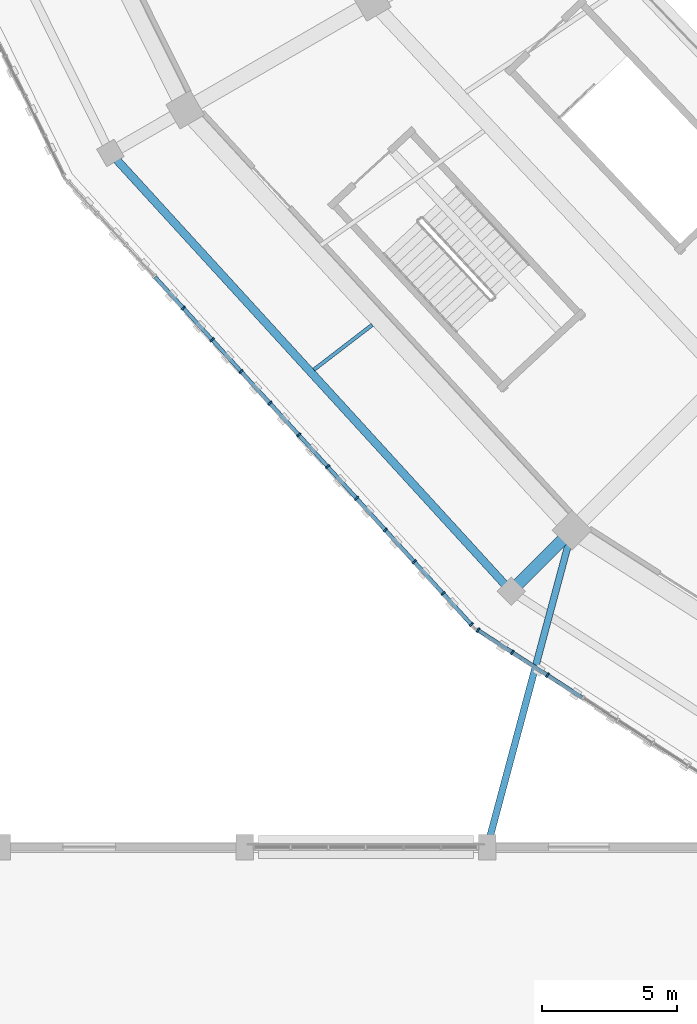
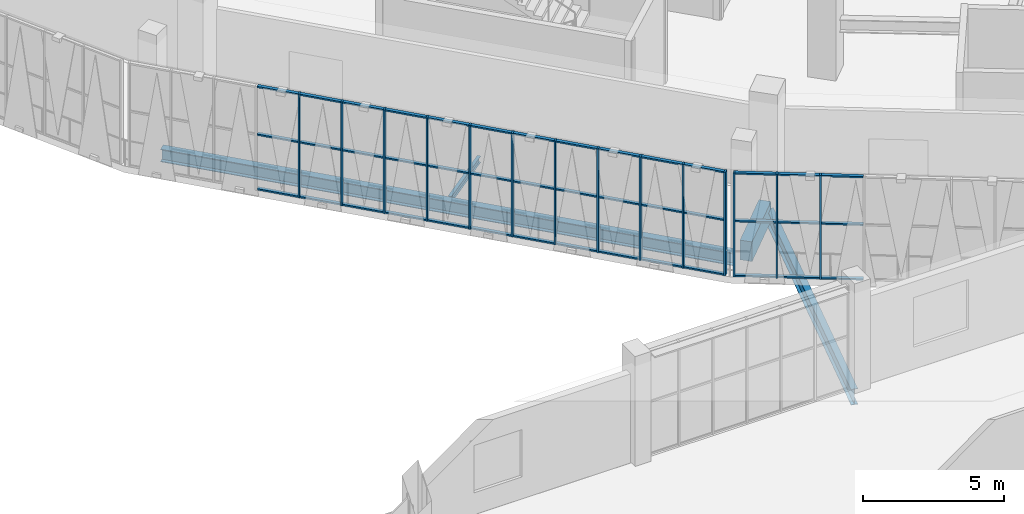
# One storey, part 9 of 179: 56 members, 4 beams, 2 elements without a shape of their own.
"""IFC4 building model written with IfcOpenShell, lengths in metres."""

from ifc_helpers import new_model, si_unit, direction, frame, origin, origin_2d, place, context, subcontext, project, spatial, rectangle, i_section, extrude, material, material_profile, profile_set, type_object, element, aggregate, save


model = new_model("IFC4")

# Units and contexts
model_context = context("Model", 3, precision=1e-05, world=origin(), true_north=direction((0.0, 1.0)))
body_context = subcontext(model_context, "Body", "Model", "MODEL_VIEW")
ifc_project = project(units=[si_unit("LENGTHUNIT", "METRE"), si_unit("AREAUNIT", "SQUARE_METRE"), si_unit("VOLUMEUNIT", "CUBIC_METRE"), si_unit("PLANEANGLEUNIT", "RADIAN"), si_unit("MASSUNIT", "GRAM", prefix="KILO")], contexts=[model_context])

# Site, building, storey
site_placement = place(None, origin())
site = spatial("IfcSite", under=ifc_project, at=site_placement, CompositionType="ELEMENT")
building_placement = place(site_placement, origin())
building = spatial("IfcBuilding", under=site, at=building_placement, Name="Zevraka Park Crest Stadium", CompositionType="ELEMENT")
storey_placement = place(building_placement, frame((0.0, 0.0, 10.199951171875)))
storey = spatial("IfcBuildingStorey", under=building, at=storey_placement, Name="L02", CompositionType="ELEMENT", Elevation=10.199951171875)

# Beams
ifc_material_1 = material(Name="Concrete C40/50", Category="concrete")
ifc_material_profile_1 = material_profile(ifc_material_1, rectangle(XDim=0.449951171875, YDim=0.85009765625, at=origin_2d()), Name="RC 850x450")
ifc_profile_set_1 = profile_set([ifc_material_profile_1], Name="Concrete C40/50")
beam_type_1 = type_object("IfcBeamType", Name="BG03", PredefinedType="BEAM", material=ifc_profile_set_1)
beam_1_placement = place(storey_placement, frame((47.93603515625, 38.54296875, -0.43505859375), z_axis=(-0.706965918589, -0.707247615728, 0.0), x_axis=(0.707247615728, -0.706965918589, 0.0)))
element("IfcBeam", 1, at=beam_1_placement, inside=storey, type_object=beam_type_1, Name="Radial Girder BG03 L02-DE-15", PredefinedType="BEAM", context=body_context, shape_type="SweptSolid", body=[
    extrude(rectangle(XDim=0.449951171875, YDim=0.85009765625, at=origin_2d()), origin(), (0.0, 0.0, 1.0), 2.60009765625),
])
ifc_material_2 = material(Name="Steel S355", Category="steel")
ifc_material_profile_2 = material_profile(ifc_material_2, i_section(OverallWidth=0.253662109375, OverallDepth=0.68359375, WebThickness=0.012451171875, FlangeThickness=0.01904296875, at=origin_2d()), Name="UKB 686x254x140")
ifc_profile_set_2 = profile_set([ifc_material_profile_2], Name="Steel S355")
beam_type_2 = type_object("IfcBeamType", Name="BG05", PredefinedType="BEAM", material=ifc_profile_set_2)
beam_2_placement = place(storey_placement, frame((45.052001953125, 27.193115234375, -0.629638671875), z_axis=(0.25869045552, 0.96596027259, 0.0), x_axis=(-0.96596027259, 0.25869045552, 0.0)))
element("IfcBeam", 2, at=beam_2_placement, inside=storey, type_object=beam_type_2, Name="Wing Link Girder BG05 L02-6/D", PredefinedType="BEAM", context=body_context, shape_type="SweptSolid", body=[
    extrude(i_section(OverallWidth=0.253662109375, OverallDepth=0.68359375, WebThickness=0.012451171875, FlangeThickness=0.01904296875, at=origin_2d()), origin(), (0.0, 0.0, 1.0), 11.58935546875),
])

# Curtain wall, members
ifc_material_3 = material(Name="Anodised architectural aluminium and laminated safety glass", Category="aluminium")
curtain_wall_type = type_object("IfcCurtainWallType", Name="CW08", PredefinedType="NOTDEFINED", material=ifc_material_3)
curtain_wall_1_placement = place(storey_placement, origin())
curtain_wall_1 = element("IfcCurtainWall", 3, at=curtain_wall_1_placement, inside=storey, type_object=curtain_wall_type, Name="Unitised Ring Curtain Wall CW08 L02-14", PredefinedType="NOTDEFINED")
ifc_material_4 = material(Name="Anodised architectural aluminium", Category="aluminium")
ifc_material_profile_3 = material_profile(ifc_material_4, rectangle(XDim=0.179931640625, YDim=0.06494140625, at=origin_2d()), Name="ALU MULLION 180x65")
ifc_profile_set_3 = profile_set([ifc_material_profile_3], Name="Anodised architectural aluminium")
member_type_1 = type_object("IfcMemberType", Name="CM02", PredefinedType="MULLION", material=ifc_profile_set_3)
member_1_placement = place(storey_placement, frame((33.730224609375, 46.99560546875, 0.0), z_axis=(0.0, 0.0, 1.0), x_axis=(0.739496877097, 0.673159987494, 0.0)))
member_1 = element("IfcMember", 4, at=member_1_placement, type_object=member_type_1, Name="CW08 mullion 5", PredefinedType="MULLION", context=body_context, shape_type="SweptSolid", body=[
    extrude(rectangle(XDim=0.179931640625, YDim=0.06494140625, at=origin_2d()), origin(), (0.0, 0.0, 1.0), 4.5),
])
member_2_placement = place(storey_placement, frame((34.80078125, 45.819580078125, 0.0), z_axis=(0.0, 0.0, 1.0), x_axis=(0.739496877097, 0.673159987494, 0.0)))
member_2 = element("IfcMember", 5, at=member_2_placement, type_object=member_type_1, Name="CW08 mullion 6", PredefinedType="MULLION", context=body_context, shape_type="SweptSolid", body=[
    extrude(rectangle(XDim=0.179931640625, YDim=0.06494140625, at=origin_2d()), origin(), (0.0, 0.0, 1.0), 4.5),
])
member_3_placement = place(storey_placement, frame((35.871337890625, 44.6435546875, 0.0), z_axis=(0.0, 0.0, 1.0), x_axis=(0.739496877097, 0.673159987494, 0.0)))
member_3 = element("IfcMember", 6, at=member_3_placement, type_object=member_type_1, Name="CW08 mullion 7", PredefinedType="MULLION", context=body_context, shape_type="SweptSolid", body=[
    extrude(rectangle(XDim=0.179931640625, YDim=0.06494140625, at=origin_2d()), origin(), (0.0, 0.0, 1.0), 4.5),
])
member_4_placement = place(storey_placement, frame((36.94189453125, 43.467529296875, 0.0), z_axis=(0.0, 0.0, 1.0), x_axis=(0.739496877097, 0.673159987494, 0.0)))
member_4 = element("IfcMember", 7, at=member_4_placement, type_object=member_type_1, Name="CW08 mullion 8", PredefinedType="MULLION", context=body_context, shape_type="SweptSolid", body=[
    extrude(rectangle(XDim=0.179931640625, YDim=0.06494140625, at=origin_2d()), origin(), (0.0, 0.0, 1.0), 4.5),
])
member_5_placement = place(storey_placement, frame((38.012451171875, 42.29150390625, 0.0), z_axis=(0.0, 0.0, 1.0), x_axis=(0.739496877097, 0.673159987494, 0.0)))
member_5 = element("IfcMember", 8, at=member_5_placement, type_object=member_type_1, Name="CW08 mullion 9", PredefinedType="MULLION", context=body_context, shape_type="SweptSolid", body=[
    extrude(rectangle(XDim=0.179931640625, YDim=0.06494140625, at=origin_2d()), origin(), (0.0, 0.0, 1.0), 4.5),
])
member_6_placement = place(storey_placement, frame((39.083251953125, 41.115478515625, 0.0), z_axis=(0.0, 0.0, 1.0), x_axis=(0.739496877097, 0.673159987494, 0.0)))
member_6 = element("IfcMember", 9, at=member_6_placement, type_object=member_type_1, Name="CW08 mullion 10", PredefinedType="MULLION", context=body_context, shape_type="SweptSolid", body=[
    extrude(rectangle(XDim=0.179931640625, YDim=0.06494140625, at=origin_2d()), origin(), (0.0, 0.0, 1.0), 4.5),
])
member_7_placement = place(storey_placement, frame((40.15380859375, 39.939208984375, 0.0), z_axis=(0.0, 0.0, 1.0), x_axis=(0.739496877097, 0.673159987494, 0.0)))
member_7 = element("IfcMember", 10, at=member_7_placement, type_object=member_type_1, Name="CW08 mullion 11", PredefinedType="MULLION", context=body_context, shape_type="SweptSolid", body=[
    extrude(rectangle(XDim=0.179931640625, YDim=0.06494140625, at=origin_2d()), origin(), (0.0, 0.0, 1.0), 4.5),
])
member_8_placement = place(storey_placement, frame((41.224365234375, 38.76318359375, 0.0), z_axis=(0.0, 0.0, 1.0), x_axis=(0.739496877097, 0.673159987494, 0.0)))
member_8 = element("IfcMember", 11, at=member_8_placement, type_object=member_type_1, Name="CW08 mullion 12", PredefinedType="MULLION", context=body_context, shape_type="SweptSolid", body=[
    extrude(rectangle(XDim=0.179931640625, YDim=0.06494140625, at=origin_2d()), origin(), (0.0, 0.0, 1.0), 4.5),
])
member_9_placement = place(storey_placement, frame((42.294921875, 37.587158203125, 0.0), z_axis=(0.0, 0.0, 1.0), x_axis=(0.739496877097, 0.673159987494, 0.0)))
member_9 = element("IfcMember", 12, at=member_9_placement, type_object=member_type_1, Name="CW08 mullion 13", PredefinedType="MULLION", context=body_context, shape_type="SweptSolid", body=[
    extrude(rectangle(XDim=0.179931640625, YDim=0.06494140625, at=origin_2d()), origin(), (0.0, 0.0, 1.0), 4.5),
])
member_10_placement = place(storey_placement, frame((43.365478515625, 36.4111328125, 0.0), z_axis=(0.0, 0.0, 1.0), x_axis=(0.739496877097, 0.673159987494, 0.0)))
member_10 = element("IfcMember", 13, at=member_10_placement, type_object=member_type_1, Name="CW08 mullion 14", PredefinedType="MULLION", context=body_context, shape_type="SweptSolid", body=[
    extrude(rectangle(XDim=0.179931640625, YDim=0.06494140625, at=origin_2d()), origin(), (0.0, 0.0, 1.0), 4.5),
])
member_11_placement = place(storey_placement, frame((44.4140625, 35.259033203125, 0.0), z_axis=(0.0, 0.0, 1.0), x_axis=(0.739496877097, 0.673159987494, 0.0)))
member_11 = element("IfcMember", 14, at=member_11_placement, type_object=member_type_1, Name="CW08 mullion 15", PredefinedType="MULLION", context=body_context, shape_type="SweptSolid", body=[
    extrude(rectangle(XDim=0.179931640625, YDim=0.06494140625, at=origin_2d()), origin(), (0.0, 0.0, 1.0), 4.5),
])

curtain_wall_2_placement = place(storey_placement, origin())
curtain_wall_2 = element("IfcCurtainWall", 15, at=curtain_wall_2_placement, inside=storey, type_object=curtain_wall_type, Name="Unitised Ring Curtain Wall CW08 L02-15", PredefinedType="NOTDEFINED")
member_12_placement = place(storey_placement, frame((44.6591796875, 35.05126953125, 0.0), z_axis=(0.0, 0.0, 1.0), x_axis=(0.543096287444, 0.839670424967, 0.0)))
member_12 = element("IfcMember", 16, at=member_12_placement, type_object=member_type_1, Name="CW08 mullion 1", PredefinedType="MULLION", context=body_context, shape_type="SweptSolid", body=[
    extrude(rectangle(XDim=0.179931640625, YDim=0.06494140625, at=origin_2d()), origin(), (0.0, 0.0, 1.0), 4.5),
])
member_13_placement = place(storey_placement, frame((45.934814453125, 34.226318359375, 0.0), z_axis=(0.0, 0.0, 1.0), x_axis=(0.543096287444, 0.839670424967, 0.0)))
member_13 = element("IfcMember", 17, at=member_13_placement, type_object=member_type_1, Name="CW08 mullion 2", PredefinedType="MULLION", context=body_context, shape_type="SweptSolid", body=[
    extrude(rectangle(XDim=0.179931640625, YDim=0.06494140625, at=origin_2d()), origin(), (0.0, 0.0, 1.0), 4.5),
])
member_14_placement = place(storey_placement, frame((47.23779296875, 33.383544921875, 0.0), z_axis=(0.0, 0.0, 1.0), x_axis=(0.543096287444, 0.839670424967, 0.0)))
member_14 = element("IfcMember", 18, at=member_14_placement, type_object=member_type_1, Name="CW08 mullion 3", PredefinedType="MULLION", context=body_context, shape_type="SweptSolid", body=[
    extrude(rectangle(XDim=0.179931640625, YDim=0.06494140625, at=origin_2d()), origin(), (0.0, 0.0, 1.0), 4.5),
])

# Member
ifc_material_5 = material(Name="Anodised architectural aluminium", Category="aluminium")
ifc_material_profile_4 = material_profile(ifc_material_5, rectangle(XDim=0.139892578125, YDim=0.06494140625, at=origin_2d()), Name="ALU TRANSOM 140x65")
ifc_profile_set_4 = profile_set([ifc_material_profile_4], Name="Anodised architectural aluminium")
member_type_2 = type_object("IfcMemberType", Name="CT02", PredefinedType="USERDEFINED", material=ifc_profile_set_4)
member_15_placement = place(storey_placement, frame((32.681640625, 48.147705078125, 0.032470703125), z_axis=(0.673198421242, -0.739461889239, 0.0), x_axis=(0.739461889239, 0.673198421242, 0.0)))
member_15 = element("IfcMember", 19, at=member_15_placement, type_object=member_type_2, Name="CW08 transom 4.1", ObjectType="TRANSOM", PredefinedType="USERDEFINED", context=body_context, shape_type="SweptSolid", body=[
    extrude(rectangle(XDim=0.139892578125, YDim=0.06494140625, at=origin_2d()), origin(), (0.0, 0.0, 1.0), 1.525390625),
])

member_16_placement = place(storey_placement, frame((32.681640625, 48.147705078125, 2.400146484375), z_axis=(0.673198421242, -0.739461889239, 0.0), x_axis=(0.739461889239, 0.673198421242, 0.0)))
member_16 = element("IfcMember", 20, at=member_16_placement, type_object=member_type_2, Name="CW08 transom 4.2", ObjectType="TRANSOM", PredefinedType="USERDEFINED", context=body_context, shape_type="SweptSolid", body=[
    extrude(rectangle(XDim=0.139892578125, YDim=0.06494140625, at=origin_2d()), origin(), (0.0, 0.0, 1.0), 1.525390625),
])

member_17_placement = place(storey_placement, frame((32.681640625, 48.147705078125, 4.467529296875), z_axis=(0.673198421242, -0.739461889239, 0.0), x_axis=(0.739461889239, 0.673198421242, 0.0)))
member_17 = element("IfcMember", 21, at=member_17_placement, type_object=member_type_2, Name="CW08 transom 4.3", ObjectType="TRANSOM", PredefinedType="USERDEFINED", context=body_context, shape_type="SweptSolid", body=[
    extrude(rectangle(XDim=0.139892578125, YDim=0.06494140625, at=origin_2d()), origin(), (0.0, 0.0, 1.0), 1.525390625),
])

member_18_placement = place(storey_placement, frame((33.752197265625, 46.9716796875, 0.032470703125), z_axis=(0.673198421242, -0.739461889239, 0.0), x_axis=(0.739461889239, 0.673198421242, 0.0)))
member_18 = element("IfcMember", 22, at=member_18_placement, type_object=member_type_2, Name="CW08 transom 5.1", ObjectType="TRANSOM", PredefinedType="USERDEFINED", context=body_context, shape_type="SweptSolid", body=[
    extrude(rectangle(XDim=0.139892578125, YDim=0.06494140625, at=origin_2d()), origin(), (0.0, 0.0, 1.0), 1.525390625),
])

member_19_placement = place(storey_placement, frame((33.752197265625, 46.9716796875, 2.400146484375), z_axis=(0.673198421242, -0.739461889239, 0.0), x_axis=(0.739461889239, 0.673198421242, 0.0)))
member_19 = element("IfcMember", 23, at=member_19_placement, type_object=member_type_2, Name="CW08 transom 5.2", ObjectType="TRANSOM", PredefinedType="USERDEFINED", context=body_context, shape_type="SweptSolid", body=[
    extrude(rectangle(XDim=0.139892578125, YDim=0.06494140625, at=origin_2d()), origin(), (0.0, 0.0, 1.0), 1.525390625),
])

member_20_placement = place(storey_placement, frame((33.752197265625, 46.9716796875, 4.467529296875), z_axis=(0.673198421242, -0.739461889239, 0.0), x_axis=(0.739461889239, 0.673198421242, 0.0)))
member_20 = element("IfcMember", 24, at=member_20_placement, type_object=member_type_2, Name="CW08 transom 5.3", ObjectType="TRANSOM", PredefinedType="USERDEFINED", context=body_context, shape_type="SweptSolid", body=[
    extrude(rectangle(XDim=0.139892578125, YDim=0.06494140625, at=origin_2d()), origin(), (0.0, 0.0, 1.0), 1.525390625),
])

member_21_placement = place(storey_placement, frame((34.82275390625, 45.795654296875, 0.032470703125), z_axis=(0.673198421242, -0.739461889239, 0.0), x_axis=(0.739461889239, 0.673198421242, 0.0)))
member_21 = element("IfcMember", 25, at=member_21_placement, type_object=member_type_2, Name="CW08 transom 6.1", ObjectType="TRANSOM", PredefinedType="USERDEFINED", context=body_context, shape_type="SweptSolid", body=[
    extrude(rectangle(XDim=0.139892578125, YDim=0.06494140625, at=origin_2d()), origin(), (0.0, 0.0, 1.0), 1.525390625),
])

member_22_placement = place(storey_placement, frame((34.82275390625, 45.795654296875, 2.400146484375), z_axis=(0.673198421242, -0.739461889239, 0.0), x_axis=(0.739461889239, 0.673198421242, 0.0)))
member_22 = element("IfcMember", 26, at=member_22_placement, type_object=member_type_2, Name="CW08 transom 6.2", ObjectType="TRANSOM", PredefinedType="USERDEFINED", context=body_context, shape_type="SweptSolid", body=[
    extrude(rectangle(XDim=0.139892578125, YDim=0.06494140625, at=origin_2d()), origin(), (0.0, 0.0, 1.0), 1.525390625),
])

member_23_placement = place(storey_placement, frame((34.82275390625, 45.795654296875, 4.467529296875), z_axis=(0.673198421242, -0.739461889239, 0.0), x_axis=(0.739461889239, 0.673198421242, 0.0)))
member_23 = element("IfcMember", 27, at=member_23_placement, type_object=member_type_2, Name="CW08 transom 6.3", ObjectType="TRANSOM", PredefinedType="USERDEFINED", context=body_context, shape_type="SweptSolid", body=[
    extrude(rectangle(XDim=0.139892578125, YDim=0.06494140625, at=origin_2d()), origin(), (0.0, 0.0, 1.0), 1.525390625),
])

member_24_placement = place(storey_placement, frame((35.893310546875, 44.61962890625, 0.032470703125), z_axis=(0.673118749814, -0.739534413431, 0.0), x_axis=(0.739534413431, 0.673118749814, 0.0)))
member_24 = element("IfcMember", 28, at=member_24_placement, type_object=member_type_2, Name="CW08 transom 7.1", ObjectType="TRANSOM", PredefinedType="USERDEFINED", context=body_context, shape_type="SweptSolid", body=[
    extrude(rectangle(XDim=0.139892578125, YDim=0.06494140625, at=origin_2d()), origin(), (0.0, 0.0, 1.0), 1.525634765625),
])

member_25_placement = place(storey_placement, frame((35.893310546875, 44.61962890625, 2.400146484375), z_axis=(0.673118749814, -0.739534413431, 0.0), x_axis=(0.739534413431, 0.673118749814, 0.0)))
member_25 = element("IfcMember", 29, at=member_25_placement, type_object=member_type_2, Name="CW08 transom 7.2", ObjectType="TRANSOM", PredefinedType="USERDEFINED", context=body_context, shape_type="SweptSolid", body=[
    extrude(rectangle(XDim=0.139892578125, YDim=0.06494140625, at=origin_2d()), origin(), (0.0, 0.0, 1.0), 1.525634765625),
])

member_26_placement = place(storey_placement, frame((35.893310546875, 44.61962890625, 4.467529296875), z_axis=(0.673118749814, -0.739534413431, 0.0), x_axis=(0.739534413431, 0.673118749814, 0.0)))
member_26 = element("IfcMember", 30, at=member_26_placement, type_object=member_type_2, Name="CW08 transom 7.3", ObjectType="TRANSOM", PredefinedType="USERDEFINED", context=body_context, shape_type="SweptSolid", body=[
    extrude(rectangle(XDim=0.139892578125, YDim=0.06494140625, at=origin_2d()), origin(), (0.0, 0.0, 1.0), 1.525634765625),
])

member_27_placement = place(storey_placement, frame((36.9638671875, 43.443359375, 0.032470703125), z_axis=(0.673198421242, -0.739461889239, 0.0), x_axis=(0.739461889239, 0.673198421242, 0.0)))
member_27 = element("IfcMember", 31, at=member_27_placement, type_object=member_type_2, Name="CW08 transom 8.1", ObjectType="TRANSOM", PredefinedType="USERDEFINED", context=body_context, shape_type="SweptSolid", body=[
    extrude(rectangle(XDim=0.139892578125, YDim=0.06494140625, at=origin_2d()), origin(), (0.0, 0.0, 1.0), 1.525390625),
])

member_28_placement = place(storey_placement, frame((36.9638671875, 43.443359375, 2.400146484375), z_axis=(0.673198421242, -0.739461889239, 0.0), x_axis=(0.739461889239, 0.673198421242, 0.0)))
member_28 = element("IfcMember", 32, at=member_28_placement, type_object=member_type_2, Name="CW08 transom 8.2", ObjectType="TRANSOM", PredefinedType="USERDEFINED", context=body_context, shape_type="SweptSolid", body=[
    extrude(rectangle(XDim=0.139892578125, YDim=0.06494140625, at=origin_2d()), origin(), (0.0, 0.0, 1.0), 1.525390625),
])

member_29_placement = place(storey_placement, frame((36.9638671875, 43.443359375, 4.467529296875), z_axis=(0.673198421242, -0.739461889239, 0.0), x_axis=(0.739461889239, 0.673198421242, 0.0)))
member_29 = element("IfcMember", 33, at=member_29_placement, type_object=member_type_2, Name="CW08 transom 8.3", ObjectType="TRANSOM", PredefinedType="USERDEFINED", context=body_context, shape_type="SweptSolid", body=[
    extrude(rectangle(XDim=0.139892578125, YDim=0.06494140625, at=origin_2d()), origin(), (0.0, 0.0, 1.0), 1.525390625),
])

member_30_placement = place(storey_placement, frame((38.034423828125, 42.267333984375, 0.032470703125), z_axis=(0.673198421242, -0.739461889239, 0.0), x_axis=(0.739461889239, 0.673198421242, 0.0)))
member_30 = element("IfcMember", 34, at=member_30_placement, type_object=member_type_2, Name="CW08 transom 9.1", ObjectType="TRANSOM", PredefinedType="USERDEFINED", context=body_context, shape_type="SweptSolid", body=[
    extrude(rectangle(XDim=0.139892578125, YDim=0.06494140625, at=origin_2d()), origin(), (0.0, 0.0, 1.0), 1.525390625),
])

member_31_placement = place(storey_placement, frame((38.034423828125, 42.267333984375, 2.400146484375), z_axis=(0.673198421242, -0.739461889239, 0.0), x_axis=(0.739461889239, 0.673198421242, 0.0)))
member_31 = element("IfcMember", 35, at=member_31_placement, type_object=member_type_2, Name="CW08 transom 9.2", ObjectType="TRANSOM", PredefinedType="USERDEFINED", context=body_context, shape_type="SweptSolid", body=[
    extrude(rectangle(XDim=0.139892578125, YDim=0.06494140625, at=origin_2d()), origin(), (0.0, 0.0, 1.0), 1.525390625),
])

member_32_placement = place(storey_placement, frame((38.034423828125, 42.267333984375, 4.467529296875), z_axis=(0.673198421242, -0.739461889239, 0.0), x_axis=(0.739461889239, 0.673198421242, 0.0)))
member_32 = element("IfcMember", 36, at=member_32_placement, type_object=member_type_2, Name="CW08 transom 9.3", ObjectType="TRANSOM", PredefinedType="USERDEFINED", context=body_context, shape_type="SweptSolid", body=[
    extrude(rectangle(XDim=0.139892578125, YDim=0.06494140625, at=origin_2d()), origin(), (0.0, 0.0, 1.0), 1.525390625),
])

member_33_placement = place(storey_placement, frame((39.10498046875, 41.09130859375, 0.032470703125), z_axis=(0.673198421242, -0.739461889239, 0.0), x_axis=(0.739461889239, 0.673198421242, 0.0)))
member_33 = element("IfcMember", 37, at=member_33_placement, type_object=member_type_2, Name="CW08 transom 10.1", ObjectType="TRANSOM", PredefinedType="USERDEFINED", context=body_context, shape_type="SweptSolid", body=[
    extrude(rectangle(XDim=0.139892578125, YDim=0.06494140625, at=origin_2d()), origin(), (0.0, 0.0, 1.0), 1.525390625),
])

member_34_placement = place(storey_placement, frame((39.10498046875, 41.09130859375, 2.400146484375), z_axis=(0.673198421242, -0.739461889239, 0.0), x_axis=(0.739461889239, 0.673198421242, 0.0)))
member_34 = element("IfcMember", 38, at=member_34_placement, type_object=member_type_2, Name="CW08 transom 10.2", ObjectType="TRANSOM", PredefinedType="USERDEFINED", context=body_context, shape_type="SweptSolid", body=[
    extrude(rectangle(XDim=0.139892578125, YDim=0.06494140625, at=origin_2d()), origin(), (0.0, 0.0, 1.0), 1.525390625),
])

member_35_placement = place(storey_placement, frame((39.10498046875, 41.09130859375, 4.467529296875), z_axis=(0.673198421242, -0.739461889239, 0.0), x_axis=(0.739461889239, 0.673198421242, 0.0)))
member_35 = element("IfcMember", 39, at=member_35_placement, type_object=member_type_2, Name="CW08 transom 10.3", ObjectType="TRANSOM", PredefinedType="USERDEFINED", context=body_context, shape_type="SweptSolid", body=[
    extrude(rectangle(XDim=0.139892578125, YDim=0.06494140625, at=origin_2d()), origin(), (0.0, 0.0, 1.0), 1.525390625),
])

member_36_placement = place(storey_placement, frame((40.175537109375, 39.915283203125, 0.032470703125), z_axis=(0.673198421242, -0.739461889239, 0.0), x_axis=(0.739461889239, 0.673198421242, 0.0)))
member_36 = element("IfcMember", 40, at=member_36_placement, type_object=member_type_2, Name="CW08 transom 11.1", ObjectType="TRANSOM", PredefinedType="USERDEFINED", context=body_context, shape_type="SweptSolid", body=[
    extrude(rectangle(XDim=0.139892578125, YDim=0.06494140625, at=origin_2d()), origin(), (0.0, 0.0, 1.0), 1.525390625),
])

member_37_placement = place(storey_placement, frame((40.175537109375, 39.915283203125, 2.400146484375), z_axis=(0.673198421242, -0.739461889239, 0.0), x_axis=(0.739461889239, 0.673198421242, 0.0)))
member_37 = element("IfcMember", 41, at=member_37_placement, type_object=member_type_2, Name="CW08 transom 11.2", ObjectType="TRANSOM", PredefinedType="USERDEFINED", context=body_context, shape_type="SweptSolid", body=[
    extrude(rectangle(XDim=0.139892578125, YDim=0.06494140625, at=origin_2d()), origin(), (0.0, 0.0, 1.0), 1.525390625),
])

member_38_placement = place(storey_placement, frame((40.175537109375, 39.915283203125, 4.467529296875), z_axis=(0.673198421242, -0.739461889239, 0.0), x_axis=(0.739461889239, 0.673198421242, 0.0)))
member_38 = element("IfcMember", 42, at=member_38_placement, type_object=member_type_2, Name="CW08 transom 11.3", ObjectType="TRANSOM", PredefinedType="USERDEFINED", context=body_context, shape_type="SweptSolid", body=[
    extrude(rectangle(XDim=0.139892578125, YDim=0.06494140625, at=origin_2d()), origin(), (0.0, 0.0, 1.0), 1.525390625),
])

member_39_placement = place(storey_placement, frame((41.24609375, 38.7392578125, 0.032470703125), z_axis=(0.673118749814, -0.739534413431, 0.0), x_axis=(0.739534413431, 0.673118749814, 0.0)))
member_39 = element("IfcMember", 43, at=member_39_placement, type_object=member_type_2, Name="CW08 transom 12.1", ObjectType="TRANSOM", PredefinedType="USERDEFINED", context=body_context, shape_type="SweptSolid", body=[
    extrude(rectangle(XDim=0.139892578125, YDim=0.06494140625, at=origin_2d()), origin(), (0.0, 0.0, 1.0), 1.525634765625),
])

member_40_placement = place(storey_placement, frame((41.24609375, 38.7392578125, 2.400146484375), z_axis=(0.673118749814, -0.739534413431, 0.0), x_axis=(0.739534413431, 0.673118749814, 0.0)))
member_40 = element("IfcMember", 44, at=member_40_placement, type_object=member_type_2, Name="CW08 transom 12.2", ObjectType="TRANSOM", PredefinedType="USERDEFINED", context=body_context, shape_type="SweptSolid", body=[
    extrude(rectangle(XDim=0.139892578125, YDim=0.06494140625, at=origin_2d()), origin(), (0.0, 0.0, 1.0), 1.525634765625),
])

member_41_placement = place(storey_placement, frame((41.24609375, 38.7392578125, 4.467529296875), z_axis=(0.673118749814, -0.739534413431, 0.0), x_axis=(0.739534413431, 0.673118749814, 0.0)))
member_41 = element("IfcMember", 45, at=member_41_placement, type_object=member_type_2, Name="CW08 transom 12.3", ObjectType="TRANSOM", PredefinedType="USERDEFINED", context=body_context, shape_type="SweptSolid", body=[
    extrude(rectangle(XDim=0.139892578125, YDim=0.06494140625, at=origin_2d()), origin(), (0.0, 0.0, 1.0), 1.525634765625),
])

member_42_placement = place(storey_placement, frame((42.316650390625, 37.56298828125, 0.032470703125), z_axis=(0.673198421242, -0.739461889239, 0.0), x_axis=(0.739461889239, 0.673198421242, 0.0)))
member_42 = element("IfcMember", 46, at=member_42_placement, type_object=member_type_2, Name="CW08 transom 13.1", ObjectType="TRANSOM", PredefinedType="USERDEFINED", context=body_context, shape_type="SweptSolid", body=[
    extrude(rectangle(XDim=0.139892578125, YDim=0.06494140625, at=origin_2d()), origin(), (0.0, 0.0, 1.0), 1.525390625),
])

member_43_placement = place(storey_placement, frame((42.316650390625, 37.56298828125, 2.400146484375), z_axis=(0.673198421242, -0.739461889239, 0.0), x_axis=(0.739461889239, 0.673198421242, 0.0)))
member_43 = element("IfcMember", 47, at=member_43_placement, type_object=member_type_2, Name="CW08 transom 13.2", ObjectType="TRANSOM", PredefinedType="USERDEFINED", context=body_context, shape_type="SweptSolid", body=[
    extrude(rectangle(XDim=0.139892578125, YDim=0.06494140625, at=origin_2d()), origin(), (0.0, 0.0, 1.0), 1.525390625),
])

member_44_placement = place(storey_placement, frame((42.316650390625, 37.56298828125, 4.467529296875), z_axis=(0.673198421242, -0.739461889239, 0.0), x_axis=(0.739461889239, 0.673198421242, 0.0)))
member_44 = element("IfcMember", 48, at=member_44_placement, type_object=member_type_2, Name="CW08 transom 13.3", ObjectType="TRANSOM", PredefinedType="USERDEFINED", context=body_context, shape_type="SweptSolid", body=[
    extrude(rectangle(XDim=0.139892578125, YDim=0.06494140625, at=origin_2d()), origin(), (0.0, 0.0, 1.0), 1.525390625),
])

member_45_placement = place(storey_placement, frame((43.38720703125, 36.386962890625, 0.032470703125), z_axis=(0.673217929556, -0.739444128602, 0.0), x_axis=(0.739444128602, 0.673217929556, 0.0)))
member_45 = element("IfcMember", 49, at=member_45_placement, type_object=member_type_2, Name="CW08 transom 14.1", ObjectType="TRANSOM", PredefinedType="USERDEFINED", context=body_context, shape_type="SweptSolid", body=[
    extrude(rectangle(XDim=0.139892578125, YDim=0.06494140625, at=origin_2d()), origin(), (0.0, 0.0, 1.0), 1.492919921875),
])

member_46_placement = place(storey_placement, frame((43.38720703125, 36.386962890625, 2.400146484375), z_axis=(0.673217929556, -0.739444128602, 0.0), x_axis=(0.739444128602, 0.673217929556, 0.0)))
member_46 = element("IfcMember", 50, at=member_46_placement, type_object=member_type_2, Name="CW08 transom 14.2", ObjectType="TRANSOM", PredefinedType="USERDEFINED", context=body_context, shape_type="SweptSolid", body=[
    extrude(rectangle(XDim=0.139892578125, YDim=0.06494140625, at=origin_2d()), origin(), (0.0, 0.0, 1.0), 1.492919921875),
])

member_47_placement = place(storey_placement, frame((43.38720703125, 36.386962890625, 4.467529296875), z_axis=(0.673217929556, -0.739444128602, 0.0), x_axis=(0.739444128602, 0.673217929556, 0.0)))
member_47 = element("IfcMember", 51, at=member_47_placement, type_object=member_type_2, Name="CW08 transom 14.3", ObjectType="TRANSOM", PredefinedType="USERDEFINED", context=body_context, shape_type="SweptSolid", body=[
    extrude(rectangle(XDim=0.139892578125, YDim=0.06494140625, at=origin_2d()), origin(), (0.0, 0.0, 1.0), 1.492919921875),
])

aggregate(curtain_wall_1, [member_1, member_2, member_3, member_4, member_5, member_6, member_7, member_8, member_9, member_10, member_11, member_15, member_16, member_17, member_18, member_19, member_20, member_21, member_22, member_23, member_24, member_25, member_26, member_27, member_28, member_29, member_30, member_31, member_32, member_33, member_34, member_35, member_36, member_37, member_38, member_39, member_40, member_41, member_42, member_43, member_44, member_45, member_46, member_47])

member_48_placement = place(storey_placement, frame((44.6865234375, 35.03369140625, 0.032470703125), z_axis=(0.839691740377, -0.543063330692, 0.0), x_axis=(0.543063330692, 0.839691740377, 0.0)))
member_48 = element("IfcMember", 52, at=member_48_placement, type_object=member_type_2, Name="CW08 transom 1.1", ObjectType="TRANSOM", PredefinedType="USERDEFINED", context=body_context, shape_type="SweptSolid", body=[
    extrude(rectangle(XDim=0.139892578125, YDim=0.06494140625, at=origin_2d()), origin(), (0.0, 0.0, 1.0), 1.454345703125),
])

member_49_placement = place(storey_placement, frame((44.6865234375, 35.03369140625, 2.400146484375), z_axis=(0.839691740377, -0.543063330692, 0.0), x_axis=(0.543063330692, 0.839691740377, 0.0)))
member_49 = element("IfcMember", 53, at=member_49_placement, type_object=member_type_2, Name="CW08 transom 1.2", ObjectType="TRANSOM", PredefinedType="USERDEFINED", context=body_context, shape_type="SweptSolid", body=[
    extrude(rectangle(XDim=0.139892578125, YDim=0.06494140625, at=origin_2d()), origin(), (0.0, 0.0, 1.0), 1.454345703125),
])

member_50_placement = place(storey_placement, frame((44.6865234375, 35.03369140625, 4.467529296875), z_axis=(0.839691740377, -0.543063330692, 0.0), x_axis=(0.543063330692, 0.839691740377, 0.0)))
member_50 = element("IfcMember", 54, at=member_50_placement, type_object=member_type_2, Name="CW08 transom 1.3", ObjectType="TRANSOM", PredefinedType="USERDEFINED", context=body_context, shape_type="SweptSolid", body=[
    extrude(rectangle(XDim=0.139892578125, YDim=0.06494140625, at=origin_2d()), origin(), (0.0, 0.0, 1.0), 1.454345703125),
])

member_51_placement = place(storey_placement, frame((45.962158203125, 34.20849609375, 0.032470703125), z_axis=(0.839724312152, -0.543012964468, 0.0), x_axis=(0.543012964468, 0.839724312152, 0.0)))
member_51 = element("IfcMember", 55, at=member_51_placement, type_object=member_type_2, Name="CW08 transom 2.1", ObjectType="TRANSOM", PredefinedType="USERDEFINED", context=body_context, shape_type="SweptSolid", body=[
    extrude(rectangle(XDim=0.139892578125, YDim=0.06494140625, at=origin_2d()), origin(), (0.0, 0.0, 1.0), 1.48681640625),
])

member_52_placement = place(storey_placement, frame((45.962158203125, 34.20849609375, 2.400146484375), z_axis=(0.839724312152, -0.543012964468, 0.0), x_axis=(0.543012964468, 0.839724312152, 0.0)))
member_52 = element("IfcMember", 56, at=member_52_placement, type_object=member_type_2, Name="CW08 transom 2.2", ObjectType="TRANSOM", PredefinedType="USERDEFINED", context=body_context, shape_type="SweptSolid", body=[
    extrude(rectangle(XDim=0.139892578125, YDim=0.06494140625, at=origin_2d()), origin(), (0.0, 0.0, 1.0), 1.48681640625),
])

member_53_placement = place(storey_placement, frame((45.962158203125, 34.20849609375, 4.467529296875), z_axis=(0.839724312152, -0.543012964468, 0.0), x_axis=(0.543012964468, 0.839724312152, 0.0)))
member_53 = element("IfcMember", 57, at=member_53_placement, type_object=member_type_2, Name="CW08 transom 2.3", ObjectType="TRANSOM", PredefinedType="USERDEFINED", context=body_context, shape_type="SweptSolid", body=[
    extrude(rectangle(XDim=0.139892578125, YDim=0.06494140625, at=origin_2d()), origin(), (0.0, 0.0, 1.0), 1.48681640625),
])

member_54_placement = place(storey_placement, frame((47.26513671875, 33.365966796875, 0.032470703125), z_axis=(0.839600995064, -0.543203616599, 0.0), x_axis=(0.543203616599, 0.839600995064, 0.0)))
member_54 = element("IfcMember", 58, at=member_54_placement, type_object=member_type_2, Name="CW08 transom 3.1", ObjectType="TRANSOM", PredefinedType="USERDEFINED", context=body_context, shape_type="SweptSolid", body=[
    extrude(rectangle(XDim=0.139892578125, YDim=0.06494140625, at=origin_2d()), origin(), (0.0, 0.0, 1.0), 1.48681640625),
])

member_55_placement = place(storey_placement, frame((47.26513671875, 33.365966796875, 2.400146484375), z_axis=(0.839600995064, -0.543203616599, 0.0), x_axis=(0.543203616599, 0.839600995064, 0.0)))
member_55 = element("IfcMember", 59, at=member_55_placement, type_object=member_type_2, Name="CW08 transom 3.2", ObjectType="TRANSOM", PredefinedType="USERDEFINED", context=body_context, shape_type="SweptSolid", body=[
    extrude(rectangle(XDim=0.139892578125, YDim=0.06494140625, at=origin_2d()), origin(), (0.0, 0.0, 1.0), 1.48681640625),
])

member_56_placement = place(storey_placement, frame((47.26513671875, 33.365966796875, 4.467529296875), z_axis=(0.839600995064, -0.543203616599, 0.0), x_axis=(0.543203616599, 0.839600995064, 0.0)))
member_56 = element("IfcMember", 60, at=member_56_placement, type_object=member_type_2, Name="CW08 transom 3.3", ObjectType="TRANSOM", PredefinedType="USERDEFINED", context=body_context, shape_type="SweptSolid", body=[
    extrude(rectangle(XDim=0.139892578125, YDim=0.06494140625, at=origin_2d()), origin(), (0.0, 0.0, 1.0), 1.48681640625),
])

aggregate(curtain_wall_2, [member_12, member_13, member_14, member_48, member_49, member_50, member_51, member_52, member_53, member_54, member_55, member_56])

# Beams
ifc_material_6 = material(Name="Steel S355", Category="steel")
ifc_material_profile_5 = material_profile(ifc_material_6, i_section(OverallWidth=0.300048828125, OverallDepth=0.550048828125, WebThickness=0.014892578125, FlangeThickness=0.029052734375, at=origin_2d()), Name="HEB 550")
ifc_profile_set_5 = profile_set([ifc_material_profile_5], Name="Steel S355")
beam_type_3 = type_object("IfcBeamType", Name="RB04", PredefinedType="BEAM", material=ifc_profile_set_5)
beam_3_placement = place(storey_placement, frame((31.262939453125, 52.491943359375, -0.5849609375), z_axis=(0.674624342029, -0.738161227065, 0.0), x_axis=(0.738161227065, 0.674624342029, 0.0)))
element("IfcBeam", 61, at=beam_3_placement, inside=storey, type_object=beam_type_3, Name="Ring Beam RB04 L02-E-14", PredefinedType="BEAM", context=body_context, shape_type="SweptSolid", body=[
    extrude(i_section(OverallWidth=0.300048828125, OverallDepth=0.550048828125, WebThickness=0.014892578125, FlangeThickness=0.029052734375, at=origin_2d()), origin(), (0.0, 0.0, 1.0), 21.325927734375),
])
ifc_material_7 = material(Name="Steel S355", Category="steel")
ifc_material_profile_6 = material_profile(ifc_material_7, i_section(OverallWidth=0.135009765625, OverallDepth=0.27001953125, WebThickness=0.006591796875, FlangeThickness=0.01025390625, at=origin_2d()), Name="IPE 270")
ifc_profile_set_6 = profile_set([ifc_material_profile_6], Name="Steel S355")
beam_type_4 = type_object("IfcBeamType", Name="SJ07", PredefinedType="JOIST", material=ifc_profile_set_6)
beam_4_placement = place(storey_placement, frame((40.739013671875, 46.373046875, -0.4228515625), z_axis=(-0.793128631587, -0.609054163238, 0.0), x_axis=(0.609054163238, -0.793128631587, 0.0)))
element("IfcBeam", 62, at=beam_4_placement, inside=storey, type_object=beam_type_4, Name="Floor Joist SJ07 L02-DE-14-1", PredefinedType="JOIST", context=body_context, shape_type="SweptSolid", body=[
    extrude(i_section(OverallWidth=0.135009765625, OverallDepth=0.27001953125, WebThickness=0.006591796875, FlangeThickness=0.01025390625, at=origin_2d()), origin(), (0.0, 0.0, 1.0), 2.732177734375),
])

save(model, "model.ifc")
